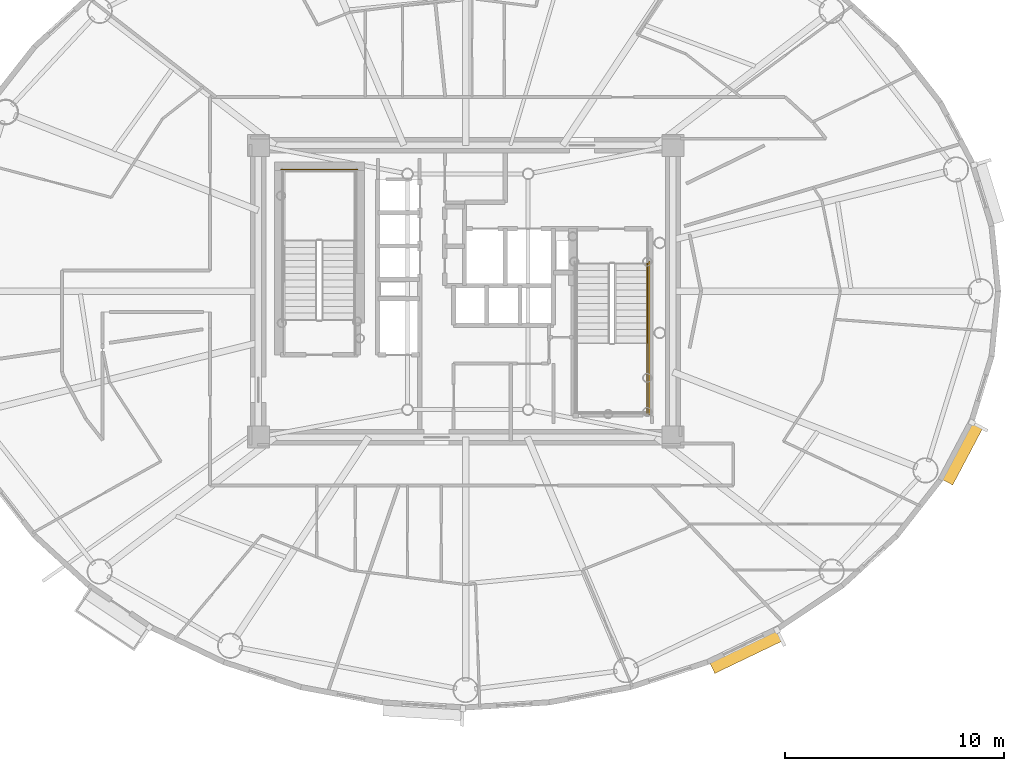
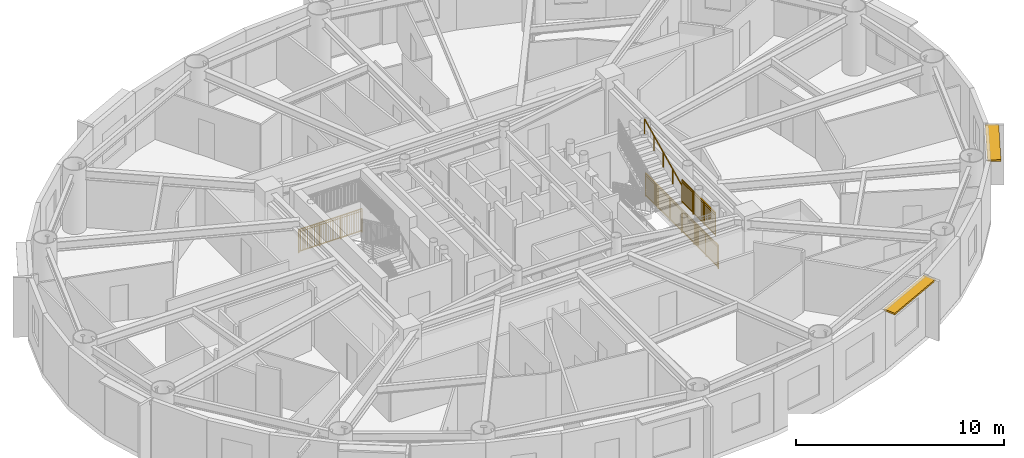
# One storey, part 18 of 19: 4 railings, 2 shading devices.
"""IFC4 building model written with IfcOpenShell, lengths in metres."""

from ifc_helpers import new_model, si_unit, direction, frame, origin, origin_2d, place, context, subcontext, project, spatial, rectangle, extrude, source, transform, mapped, material, layer, layer_set, type_object, element, save


model = new_model("IFC4")

# Units and contexts
model_context = context("Model", 3, precision=1e-05, world=origin(), true_north=direction((0.0, 1.0)))
body_context = subcontext(model_context, "Body", "Model", "MODEL_VIEW")
ifc_project = project(units=[si_unit("LENGTHUNIT", "METRE"), si_unit("AREAUNIT", "SQUARE_METRE"), si_unit("VOLUMEUNIT", "CUBIC_METRE"), si_unit("PLANEANGLEUNIT", "RADIAN"), si_unit("MASSUNIT", "GRAM", prefix="KILO")], contexts=[model_context])

# Site, building, storey
site_placement = place(None, origin())
site = spatial("IfcSite", under=ifc_project, at=site_placement, CompositionType="ELEMENT")
building_placement = place(site_placement, origin())
building = spatial("IfcBuilding", under=site, at=building_placement, Name="Linh Dai School and Residence Tower", CompositionType="ELEMENT")
storey_placement = place(building_placement, frame((0.0, 0.0, 236.550048828125)))
storey = spatial("IfcBuildingStorey", under=building, at=storey_placement, Name="L58", CompositionType="ELEMENT", Elevation=236.550048828125)

# Shading devices
ifc_material_1 = material(Name="Terracotta Ceramic Sunshade", Category="masonry")
ifc_layer = layer(ifc_material_1, 0.10009765625)
ifc_layer_set = layer_set([ifc_layer], Name="Terracotta Ceramic Sunshade")
shading_device_type = type_object("IfcShadingDeviceType", Name="SHD-TC-650", PredefinedType="USERDEFINED", material=ifc_layer_set)
shared_shape_1 = source(origin(), body_context, "Body", "SweptSolid", [
    extrude(rectangle(XDim=3.459716796875, YDim=0.64990234375, at=origin_2d()), origin(), (0.0, 0.0, 1.0), 0.10009765625),
])
shading_device_1_placement = place(storey_placement, frame((48.77880859375, 10.615966796875, 3.3798828125), z_axis=(0.0, 0.0, 1.0), x_axis=(-0.901588864931, -0.432593941973, 0.0)))
element("IfcShadingDevice", 1, at=shading_device_1_placement, inside=storey, type_object=shading_device_type, Name="L58 Terracotta Horizontal Sunshade Band 34", ObjectType="SUNSHADE", PredefinedType="USERDEFINED", context=body_context, shape_type="MappedRepresentation", body=[
    mapped(shared_shape_1, transform((0.0, 0.0, 0.0), x_axis=(1.0, 0.0, 0.0), y_axis=(0.0, 1.0, 0.0), z_axis=(0.0, 0.0, 1.0), scale=1.0)),
])
shared_shape_2 = source(origin(), body_context, "Body", "SweptSolid", [
    extrude(rectangle(XDim=2.986083984375, YDim=0.64990234375, at=origin_2d()), origin(), (0.0, 0.0, 1.0), 0.10009765625),
])
shading_device_2_placement = place(storey_placement, frame((58.614990234375, 19.63623046875, 3.3798828125), z_axis=(0.0, 0.0, 1.0), x_axis=(-0.467621224891, -0.883928950783, 0.0)))
element("IfcShadingDevice", 2, at=shading_device_2_placement, inside=storey, type_object=shading_device_type, Name="L58 Terracotta Horizontal Sunshade Band 38", ObjectType="SUNSHADE", PredefinedType="USERDEFINED", context=body_context, shape_type="MappedRepresentation", body=[
    mapped(shared_shape_2, transform((0.0, 0.0, 0.0), x_axis=(1.0, 0.0, 0.0), y_axis=(0.0, 1.0, 0.0), z_axis=(0.0, 0.0, 1.0), scale=1.0)),
])

# Railings
ifc_material_2 = material(Name="Structural Steel S355JR", Category="steel")
railing_type_1 = type_object("IfcRailingType", Name="RL-ST-GUARD-1400", PredefinedType="GUARDRAIL", material=ifc_material_2)
shared_shape_3 = source(origin(), body_context, "Body", "SweptSolid", [
    extrude(rectangle(XDim=0.048095703125, YDim=0.048095703125, at=origin_2d()), frame((0.0, 0.0, 1.3759765625), z_axis=(-1.0, 0.0, 0.0), x_axis=(0.0, -1.0, 0.0)), (0.0, 0.0, 1.0), 3.5),
    extrude(rectangle(XDim=0.048095703125, YDim=0.048095703125, at=origin_2d()), frame((0.0, 0.0, 0.10009765625), z_axis=(-1.0, 0.0, 0.0), x_axis=(0.0, -1.0, 0.0)), (0.0, 0.0, 1.0), 3.5),
    extrude(rectangle(XDim=0.030029296875, YDim=0.030029296875, at=origin_2d()), frame((0.0, 0.0, 1.239990234375), z_axis=(-1.0, 0.0, 0.0), x_axis=(0.0, -1.0, 0.0)), (0.0, 0.0, 1.0), 3.5),
    extrude(rectangle(XDim=0.02001953125, YDim=0.02001953125, at=origin_2d()), frame((-0.09716796875, 0.0, 0.10009765625)), (0.0, 0.0, 1.0), 1.251708984375),
    extrude(rectangle(XDim=0.02001953125, YDim=0.02001953125, at=origin_2d()), frame((-0.1943359375, 0.0, 0.10009765625)), (0.0, 0.0, 1.0), 1.251708984375),
    extrude(rectangle(XDim=0.02001953125, YDim=0.02001953125, at=origin_2d()), frame((-0.291748046875, 0.0, 0.10009765625)), (0.0, 0.0, 1.0), 1.251708984375),
    extrude(rectangle(XDim=0.02001953125, YDim=0.02001953125, at=origin_2d()), frame((-0.388916015625, 0.0, 0.10009765625)), (0.0, 0.0, 1.0), 1.251708984375),
    extrude(rectangle(XDim=0.02001953125, YDim=0.02001953125, at=origin_2d()), frame((-0.486083984375, 0.0, 0.10009765625)), (0.0, 0.0, 1.0), 1.251708984375),
    extrude(rectangle(XDim=0.02001953125, YDim=0.02001953125, at=origin_2d()), frame((-0.583251953125, 0.0, 0.10009765625)), (0.0, 0.0, 1.0), 1.251708984375),
    extrude(rectangle(XDim=0.02001953125, YDim=0.02001953125, at=origin_2d()), frame((-0.6806640625, 0.0, 0.10009765625)), (0.0, 0.0, 1.0), 1.251708984375),
    extrude(rectangle(XDim=0.02001953125, YDim=0.02001953125, at=origin_2d()), frame((-0.77783203125, 0.0, 0.10009765625)), (0.0, 0.0, 1.0), 1.251708984375),
    extrude(rectangle(XDim=0.02001953125, YDim=0.02001953125, at=origin_2d()), frame((-0.875, 0.0, 0.10009765625)), (0.0, 0.0, 1.0), 1.251708984375),
    extrude(rectangle(XDim=0.02001953125, YDim=0.02001953125, at=origin_2d()), frame((-0.97216796875, 0.0, 0.10009765625)), (0.0, 0.0, 1.0), 1.251708984375),
    extrude(rectangle(XDim=0.02001953125, YDim=0.02001953125, at=origin_2d()), frame((-1.0693359375, 0.0, 0.10009765625)), (0.0, 0.0, 1.0), 1.251708984375),
    extrude(rectangle(XDim=0.02001953125, YDim=0.02001953125, at=origin_2d()), frame((-1.263916015625, 0.0, 0.10009765625)), (0.0, 0.0, 1.0), 1.251708984375),
    extrude(rectangle(XDim=0.02001953125, YDim=0.02001953125, at=origin_2d()), frame((-1.361083984375, 0.0, 0.10009765625)), (0.0, 0.0, 1.0), 1.251708984375),
    extrude(rectangle(XDim=0.02001953125, YDim=0.02001953125, at=origin_2d()), frame((-1.458251953125, 0.0, 0.10009765625)), (0.0, 0.0, 1.0), 1.251708984375),
    extrude(rectangle(XDim=0.02001953125, YDim=0.02001953125, at=origin_2d()), frame((-1.5556640625, 0.0, 0.10009765625)), (0.0, 0.0, 1.0), 1.251708984375),
    extrude(rectangle(XDim=0.02001953125, YDim=0.02001953125, at=origin_2d()), frame((-1.65283203125, 0.0, 0.10009765625)), (0.0, 0.0, 1.0), 1.251708984375),
    extrude(rectangle(XDim=0.02001953125, YDim=0.02001953125, at=origin_2d()), frame((-1.75, 0.0, 0.10009765625)), (0.0, 0.0, 1.0), 1.251708984375),
    extrude(rectangle(XDim=0.02001953125, YDim=0.02001953125, at=origin_2d()), frame((-1.84716796875, 0.0, 0.10009765625)), (0.0, 0.0, 1.0), 1.251708984375),
    extrude(rectangle(XDim=0.02001953125, YDim=0.02001953125, at=origin_2d()), frame((-1.9443359375, 0.0, 0.10009765625)), (0.0, 0.0, 1.0), 1.251708984375),
    extrude(rectangle(XDim=0.02001953125, YDim=0.02001953125, at=origin_2d()), frame((-2.041748046875, 0.0, 0.10009765625)), (0.0, 0.0, 1.0), 1.251708984375),
    extrude(rectangle(XDim=0.02001953125, YDim=0.02001953125, at=origin_2d()), frame((-2.138916015625, 0.0, 0.10009765625)), (0.0, 0.0, 1.0), 1.251708984375),
    extrude(rectangle(XDim=0.02001953125, YDim=0.02001953125, at=origin_2d()), frame((-2.236083984375, 0.0, 0.10009765625)), (0.0, 0.0, 1.0), 1.251708984375),
    extrude(rectangle(XDim=0.02001953125, YDim=0.02001953125, at=origin_2d()), frame((-2.4306640625, 0.0, 0.10009765625)), (0.0, 0.0, 1.0), 1.251708984375),
    extrude(rectangle(XDim=0.02001953125, YDim=0.02001953125, at=origin_2d()), frame((-2.52783203125, 0.0, 0.10009765625)), (0.0, 0.0, 1.0), 1.251708984375),
    extrude(rectangle(XDim=0.02001953125, YDim=0.02001953125, at=origin_2d()), frame((-2.625, 0.0, 0.10009765625)), (0.0, 0.0, 1.0), 1.251708984375),
    extrude(rectangle(XDim=0.02001953125, YDim=0.02001953125, at=origin_2d()), frame((-2.72216796875, 0.0, 0.10009765625)), (0.0, 0.0, 1.0), 1.251708984375),
    extrude(rectangle(XDim=0.02001953125, YDim=0.02001953125, at=origin_2d()), frame((-2.8193359375, 0.0, 0.10009765625)), (0.0, 0.0, 1.0), 1.251708984375),
    extrude(rectangle(XDim=0.02001953125, YDim=0.02001953125, at=origin_2d()), frame((-2.916748046875, 0.0, 0.10009765625)), (0.0, 0.0, 1.0), 1.251708984375),
    extrude(rectangle(XDim=0.02001953125, YDim=0.02001953125, at=origin_2d()), frame((-3.013916015625, 0.0, 0.10009765625)), (0.0, 0.0, 1.0), 1.251708984375),
    extrude(rectangle(XDim=0.02001953125, YDim=0.02001953125, at=origin_2d()), frame((-3.111083984375, 0.0, 0.10009765625)), (0.0, 0.0, 1.0), 1.251708984375),
    extrude(rectangle(XDim=0.02001953125, YDim=0.02001953125, at=origin_2d()), frame((-3.208251953125, 0.0, 0.10009765625)), (0.0, 0.0, 1.0), 1.251708984375),
    extrude(rectangle(XDim=0.02001953125, YDim=0.02001953125, at=origin_2d()), frame((-3.3056640625, 0.0, 0.10009765625)), (0.0, 0.0, 1.0), 1.251708984375),
    extrude(rectangle(XDim=0.02001953125, YDim=0.02001953125, at=origin_2d()), frame((-3.40283203125, 0.0, 0.10009765625)), (0.0, 0.0, 1.0), 1.251708984375),
    extrude(rectangle(XDim=0.0419921875, YDim=0.0419921875, at=origin_2d()), origin(), (0.0, 0.0, 1.0), 1.3759765625),
    extrude(rectangle(XDim=0.0419921875, YDim=0.0419921875, at=origin_2d()), frame((-1.166748046875, 0.0, 0.0)), (0.0, 0.0, 1.0), 1.3759765625),
    extrude(rectangle(XDim=0.0419921875, YDim=0.0419921875, at=origin_2d()), frame((-2.333251953125, 0.0, 0.0)), (0.0, 0.0, 1.0), 1.3759765625),
    extrude(rectangle(XDim=0.0419921875, YDim=0.0419921875, at=origin_2d()), frame((-3.5, 0.0, 0.0)), (0.0, 0.0, 1.0), 1.3759765625),
])
railing_1_placement = place(storey_placement, frame((31.080078125, 32.550048828125, 0.0)))
element("IfcRailing", 3, at=railing_1_placement, inside=storey, type_object=railing_type_1, Name="L58 ST1 stair guard 12", PredefinedType="GUARDRAIL", context=body_context, shape_type="MappedRepresentation", body=[
    mapped(shared_shape_3, transform((0.0, 0.0, 0.0), x_axis=(1.0, 0.0, 0.0), y_axis=(0.0, 1.0, 0.0), z_axis=(0.0, 0.0, 1.0), scale=1.0)),
])
ifc_material_3 = material(Name="Brushed Stainless Steel Handrail", Category="steel")
railing_type_2 = type_object("IfcRailingType", Name="RL-ST-HANDRAIL-900", PredefinedType="HANDRAIL", material=ifc_material_3)
shared_shape_4 = source(origin(), body_context, "Body", "SweptSolid", [
    extrude(rectangle(XDim=0.048095703125, YDim=0.048095703125, at=origin_2d()), frame((0.0, 0.0, 0.8759765625), z_axis=(0.0, 0.901262522062, 0.433273431364), x_axis=(-1.0, 0.0, 0.0)), (0.0, 0.0, 1.0), 3.994384765625),
    extrude(rectangle(XDim=0.0419921875, YDim=0.0419921875, at=origin_2d()), origin(), (0.0, 0.0, 1.0), 0.8759765625),
    extrude(rectangle(XDim=0.0419921875, YDim=0.0419921875, at=origin_2d()), frame((0.0, 0.89990234375, 0.4326171875)), (0.0, 0.0, 1.0), 0.8759765625),
    extrude(rectangle(XDim=0.0419921875, YDim=0.0419921875, at=origin_2d()), frame((0.0, 1.800048828125, 0.865234375)), (0.0, 0.0, 1.0), 0.8759765625),
    extrude(rectangle(XDim=0.0419921875, YDim=0.0419921875, at=origin_2d()), frame((0.0, 2.7001953125, 1.298095703125)), (0.0, 0.0, 1.0), 0.8759765625),
    extrude(rectangle(XDim=0.0419921875, YDim=0.0419921875, at=origin_2d()), frame((0.0, 3.60009765625, 1.730712890625)), (0.0, 0.0, 1.0), 0.8759765625),
])
railing_2_placement = place(storey_placement, frame((44.27001953125, 24.64990234375, 2.019287109375)))
element("IfcRailing", 4, at=railing_2_placement, inside=storey, type_object=railing_type_2, Name="L58 ST2 stair handrail 2", PredefinedType="HANDRAIL", context=body_context, shape_type="MappedRepresentation", body=[
    mapped(shared_shape_4, transform((0.0, 0.0, 0.0), x_axis=(1.0, 0.0, 0.0), y_axis=(0.0, 1.0, 0.0), z_axis=(0.0, 0.0, 1.0), scale=1.0)),
])
shared_shape_5 = source(origin(), body_context, "Body", "SweptSolid", [
    extrude(rectangle(XDim=0.048095703125, YDim=0.048095703125, at=origin_2d()), frame((0.0, 0.0, 1.3759765625), z_axis=(0.0, -1.0, 0.0), x_axis=(1.0, 0.0, 0.0)), (0.0, 0.0, 1.0), 7.0),
    extrude(rectangle(XDim=0.048095703125, YDim=0.048095703125, at=origin_2d()), frame((0.0, 0.0, 0.10009765625), z_axis=(0.0, -1.0, 0.0), x_axis=(1.0, 0.0, 0.0)), (0.0, 0.0, 1.0), 7.0),
    extrude(rectangle(XDim=0.030029296875, YDim=0.030029296875, at=origin_2d()), frame((0.0, 0.0, 1.239990234375), z_axis=(0.0, -1.0, 0.0), x_axis=(1.0, 0.0, 0.0)), (0.0, 0.0, 1.0), 7.0),
    extrude(rectangle(XDim=0.02001953125, YDim=0.02001953125, at=origin_2d()), frame((0.0, -0.09716796875, 0.10009765625)), (0.0, 0.0, 1.0), 1.251708984375),
    extrude(rectangle(XDim=0.02001953125, YDim=0.02001953125, at=origin_2d()), frame((0.0, -0.1943359375, 0.10009765625)), (0.0, 0.0, 1.0), 1.251708984375),
    extrude(rectangle(XDim=0.02001953125, YDim=0.02001953125, at=origin_2d()), frame((0.0, -0.291748046875, 0.10009765625)), (0.0, 0.0, 1.0), 1.251708984375),
    extrude(rectangle(XDim=0.02001953125, YDim=0.02001953125, at=origin_2d()), frame((0.0, -0.388916015625, 0.10009765625)), (0.0, 0.0, 1.0), 1.251708984375),
    extrude(rectangle(XDim=0.02001953125, YDim=0.02001953125, at=origin_2d()), frame((0.0, -0.486083984375, 0.10009765625)), (0.0, 0.0, 1.0), 1.251708984375),
    extrude(rectangle(XDim=0.02001953125, YDim=0.02001953125, at=origin_2d()), frame((0.0, -0.583251953125, 0.10009765625)), (0.0, 0.0, 1.0), 1.251708984375),
    extrude(rectangle(XDim=0.02001953125, YDim=0.02001953125, at=origin_2d()), frame((0.0, -0.6806640625, 0.10009765625)), (0.0, 0.0, 1.0), 1.251708984375),
    extrude(rectangle(XDim=0.02001953125, YDim=0.02001953125, at=origin_2d()), frame((0.0, -0.77783203125, 0.10009765625)), (0.0, 0.0, 1.0), 1.251708984375),
    extrude(rectangle(XDim=0.02001953125, YDim=0.02001953125, at=origin_2d()), frame((0.0, -0.875, 0.10009765625)), (0.0, 0.0, 1.0), 1.251708984375),
    extrude(rectangle(XDim=0.02001953125, YDim=0.02001953125, at=origin_2d()), frame((0.0, -0.97216796875, 0.10009765625)), (0.0, 0.0, 1.0), 1.251708984375),
    extrude(rectangle(XDim=0.02001953125, YDim=0.02001953125, at=origin_2d()), frame((0.0, -1.0693359375, 0.10009765625)), (0.0, 0.0, 1.0), 1.251708984375),
    extrude(rectangle(XDim=0.02001953125, YDim=0.02001953125, at=origin_2d()), frame((0.0, -1.263916015625, 0.10009765625)), (0.0, 0.0, 1.0), 1.251708984375),
    extrude(rectangle(XDim=0.02001953125, YDim=0.02001953125, at=origin_2d()), frame((0.0, -1.361083984375, 0.10009765625)), (0.0, 0.0, 1.0), 1.251708984375),
    extrude(rectangle(XDim=0.02001953125, YDim=0.02001953125, at=origin_2d()), frame((0.0, -1.458251953125, 0.10009765625)), (0.0, 0.0, 1.0), 1.251708984375),
    extrude(rectangle(XDim=0.02001953125, YDim=0.02001953125, at=origin_2d()), frame((0.0, -1.5556640625, 0.10009765625)), (0.0, 0.0, 1.0), 1.251708984375),
    extrude(rectangle(XDim=0.02001953125, YDim=0.02001953125, at=origin_2d()), frame((0.0, -1.65283203125, 0.10009765625)), (0.0, 0.0, 1.0), 1.251708984375),
    extrude(rectangle(XDim=0.02001953125, YDim=0.02001953125, at=origin_2d()), frame((0.0, -1.75, 0.10009765625)), (0.0, 0.0, 1.0), 1.251708984375),
    extrude(rectangle(XDim=0.02001953125, YDim=0.02001953125, at=origin_2d()), frame((0.0, -1.84716796875, 0.10009765625)), (0.0, 0.0, 1.0), 1.251708984375),
    extrude(rectangle(XDim=0.02001953125, YDim=0.02001953125, at=origin_2d()), frame((0.0, -1.9443359375, 0.10009765625)), (0.0, 0.0, 1.0), 1.251708984375),
    extrude(rectangle(XDim=0.02001953125, YDim=0.02001953125, at=origin_2d()), frame((0.0, -2.041748046875, 0.10009765625)), (0.0, 0.0, 1.0), 1.251708984375),
    extrude(rectangle(XDim=0.02001953125, YDim=0.02001953125, at=origin_2d()), frame((0.0, -2.138916015625, 0.10009765625)), (0.0, 0.0, 1.0), 1.251708984375),
    extrude(rectangle(XDim=0.02001953125, YDim=0.02001953125, at=origin_2d()), frame((0.0, -2.236083984375, 0.10009765625)), (0.0, 0.0, 1.0), 1.251708984375),
    extrude(rectangle(XDim=0.02001953125, YDim=0.02001953125, at=origin_2d()), frame((0.0, -2.4306640625, 0.10009765625)), (0.0, 0.0, 1.0), 1.251708984375),
    extrude(rectangle(XDim=0.02001953125, YDim=0.02001953125, at=origin_2d()), frame((0.0, -2.52783203125, 0.10009765625)), (0.0, 0.0, 1.0), 1.251708984375),
    extrude(rectangle(XDim=0.02001953125, YDim=0.02001953125, at=origin_2d()), frame((0.0, -2.625, 0.10009765625)), (0.0, 0.0, 1.0), 1.251708984375),
    extrude(rectangle(XDim=0.02001953125, YDim=0.02001953125, at=origin_2d()), frame((0.0, -2.72216796875, 0.10009765625)), (0.0, 0.0, 1.0), 1.251708984375),
    extrude(rectangle(XDim=0.02001953125, YDim=0.02001953125, at=origin_2d()), frame((0.0, -2.8193359375, 0.10009765625)), (0.0, 0.0, 1.0), 1.251708984375),
    extrude(rectangle(XDim=0.02001953125, YDim=0.02001953125, at=origin_2d()), frame((0.0, -2.916748046875, 0.10009765625)), (0.0, 0.0, 1.0), 1.251708984375),
    extrude(rectangle(XDim=0.02001953125, YDim=0.02001953125, at=origin_2d()), frame((0.0, -3.013916015625, 0.10009765625)), (0.0, 0.0, 1.0), 1.251708984375),
    extrude(rectangle(XDim=0.02001953125, YDim=0.02001953125, at=origin_2d()), frame((0.0, -3.111083984375, 0.10009765625)), (0.0, 0.0, 1.0), 1.251708984375),
    extrude(rectangle(XDim=0.02001953125, YDim=0.02001953125, at=origin_2d()), frame((0.0, -3.208251953125, 0.10009765625)), (0.0, 0.0, 1.0), 1.251708984375),
    extrude(rectangle(XDim=0.02001953125, YDim=0.02001953125, at=origin_2d()), frame((0.0, -3.3056640625, 0.10009765625)), (0.0, 0.0, 1.0), 1.251708984375),
    extrude(rectangle(XDim=0.02001953125, YDim=0.02001953125, at=origin_2d()), frame((0.0, -3.40283203125, 0.10009765625)), (0.0, 0.0, 1.0), 1.251708984375),
    extrude(rectangle(XDim=0.02001953125, YDim=0.02001953125, at=origin_2d()), frame((0.0, -3.59716796875, 0.10009765625)), (0.0, 0.0, 1.0), 1.251708984375),
    extrude(rectangle(XDim=0.02001953125, YDim=0.02001953125, at=origin_2d()), frame((0.0, -3.6943359375, 0.10009765625)), (0.0, 0.0, 1.0), 1.251708984375),
    extrude(rectangle(XDim=0.02001953125, YDim=0.02001953125, at=origin_2d()), frame((0.0, -3.791748046875, 0.10009765625)), (0.0, 0.0, 1.0), 1.251708984375),
    extrude(rectangle(XDim=0.02001953125, YDim=0.02001953125, at=origin_2d()), frame((0.0, -3.888916015625, 0.10009765625)), (0.0, 0.0, 1.0), 1.251708984375),
    extrude(rectangle(XDim=0.02001953125, YDim=0.02001953125, at=origin_2d()), frame((0.0, -3.986083984375, 0.10009765625)), (0.0, 0.0, 1.0), 1.251708984375),
    extrude(rectangle(XDim=0.02001953125, YDim=0.02001953125, at=origin_2d()), frame((0.0, -4.083251953125, 0.10009765625)), (0.0, 0.0, 1.0), 1.251708984375),
    extrude(rectangle(XDim=0.02001953125, YDim=0.02001953125, at=origin_2d()), frame((0.0, -4.1806640625, 0.10009765625)), (0.0, 0.0, 1.0), 1.251708984375),
    extrude(rectangle(XDim=0.02001953125, YDim=0.02001953125, at=origin_2d()), frame((0.0, -4.27783203125, 0.10009765625)), (0.0, 0.0, 1.0), 1.251708984375),
    extrude(rectangle(XDim=0.02001953125, YDim=0.02001953125, at=origin_2d()), frame((0.0, -4.375, 0.10009765625)), (0.0, 0.0, 1.0), 1.251708984375),
    extrude(rectangle(XDim=0.02001953125, YDim=0.02001953125, at=origin_2d()), frame((0.0, -4.47216796875, 0.10009765625)), (0.0, 0.0, 1.0), 1.251708984375),
    extrude(rectangle(XDim=0.02001953125, YDim=0.02001953125, at=origin_2d()), frame((0.0, -4.5693359375, 0.10009765625)), (0.0, 0.0, 1.0), 1.251708984375),
    extrude(rectangle(XDim=0.02001953125, YDim=0.02001953125, at=origin_2d()), frame((0.0, -4.763916015625, 0.10009765625)), (0.0, 0.0, 1.0), 1.251708984375),
    extrude(rectangle(XDim=0.02001953125, YDim=0.02001953125, at=origin_2d()), frame((0.0, -4.861083984375, 0.10009765625)), (0.0, 0.0, 1.0), 1.251708984375),
    extrude(rectangle(XDim=0.02001953125, YDim=0.02001953125, at=origin_2d()), frame((0.0, -4.958251953125, 0.10009765625)), (0.0, 0.0, 1.0), 1.251708984375),
    extrude(rectangle(XDim=0.02001953125, YDim=0.02001953125, at=origin_2d()), frame((0.0, -5.0556640625, 0.10009765625)), (0.0, 0.0, 1.0), 1.251708984375),
    extrude(rectangle(XDim=0.02001953125, YDim=0.02001953125, at=origin_2d()), frame((0.0, -5.15283203125, 0.10009765625)), (0.0, 0.0, 1.0), 1.251708984375),
    extrude(rectangle(XDim=0.02001953125, YDim=0.02001953125, at=origin_2d()), frame((0.0, -5.25, 0.10009765625)), (0.0, 0.0, 1.0), 1.251708984375),
    extrude(rectangle(XDim=0.02001953125, YDim=0.02001953125, at=origin_2d()), frame((0.0, -5.34716796875, 0.10009765625)), (0.0, 0.0, 1.0), 1.251708984375),
    extrude(rectangle(XDim=0.02001953125, YDim=0.02001953125, at=origin_2d()), frame((0.0, -5.4443359375, 0.10009765625)), (0.0, 0.0, 1.0), 1.251708984375),
    extrude(rectangle(XDim=0.02001953125, YDim=0.02001953125, at=origin_2d()), frame((0.0, -5.541748046875, 0.10009765625)), (0.0, 0.0, 1.0), 1.251708984375),
    extrude(rectangle(XDim=0.02001953125, YDim=0.02001953125, at=origin_2d()), frame((0.0, -5.638916015625, 0.10009765625)), (0.0, 0.0, 1.0), 1.251708984375),
    extrude(rectangle(XDim=0.02001953125, YDim=0.02001953125, at=origin_2d()), frame((0.0, -5.736083984375, 0.10009765625)), (0.0, 0.0, 1.0), 1.251708984375),
    extrude(rectangle(XDim=0.02001953125, YDim=0.02001953125, at=origin_2d()), frame((0.0, -5.9306640625, 0.10009765625)), (0.0, 0.0, 1.0), 1.251708984375),
    extrude(rectangle(XDim=0.02001953125, YDim=0.02001953125, at=origin_2d()), frame((0.0, -6.02783203125, 0.10009765625)), (0.0, 0.0, 1.0), 1.251708984375),
    extrude(rectangle(XDim=0.02001953125, YDim=0.02001953125, at=origin_2d()), frame((0.0, -6.125, 0.10009765625)), (0.0, 0.0, 1.0), 1.251708984375),
    extrude(rectangle(XDim=0.02001953125, YDim=0.02001953125, at=origin_2d()), frame((0.0, -6.22216796875, 0.10009765625)), (0.0, 0.0, 1.0), 1.251708984375),
    extrude(rectangle(XDim=0.02001953125, YDim=0.02001953125, at=origin_2d()), frame((0.0, -6.3193359375, 0.10009765625)), (0.0, 0.0, 1.0), 1.251708984375),
    extrude(rectangle(XDim=0.02001953125, YDim=0.02001953125, at=origin_2d()), frame((0.0, -6.416748046875, 0.10009765625)), (0.0, 0.0, 1.0), 1.251708984375),
    extrude(rectangle(XDim=0.02001953125, YDim=0.02001953125, at=origin_2d()), frame((0.0, -6.513916015625, 0.10009765625)), (0.0, 0.0, 1.0), 1.251708984375),
    extrude(rectangle(XDim=0.02001953125, YDim=0.02001953125, at=origin_2d()), frame((0.0, -6.611083984375, 0.10009765625)), (0.0, 0.0, 1.0), 1.251708984375),
    extrude(rectangle(XDim=0.02001953125, YDim=0.02001953125, at=origin_2d()), frame((0.0, -6.708251953125, 0.10009765625)), (0.0, 0.0, 1.0), 1.251708984375),
    extrude(rectangle(XDim=0.02001953125, YDim=0.02001953125, at=origin_2d()), frame((0.0, -6.8056640625, 0.10009765625)), (0.0, 0.0, 1.0), 1.251708984375),
    extrude(rectangle(XDim=0.02001953125, YDim=0.02001953125, at=origin_2d()), frame((0.0, -6.90283203125, 0.10009765625)), (0.0, 0.0, 1.0), 1.251708984375),
    extrude(rectangle(XDim=0.0419921875, YDim=0.0419921875, at=origin_2d()), origin(), (0.0, 0.0, 1.0), 1.3759765625),
    extrude(rectangle(XDim=0.0419921875, YDim=0.0419921875, at=origin_2d()), frame((0.0, -1.166748046875, 0.0)), (0.0, 0.0, 1.0), 1.3759765625),
    extrude(rectangle(XDim=0.0419921875, YDim=0.0419921875, at=origin_2d()), frame((0.0, -2.333251953125, 0.0)), (0.0, 0.0, 1.0), 1.3759765625),
    extrude(rectangle(XDim=0.0419921875, YDim=0.0419921875, at=origin_2d()), frame((0.0, -3.5, 0.0)), (0.0, 0.0, 1.0), 1.3759765625),
    extrude(rectangle(XDim=0.0419921875, YDim=0.0419921875, at=origin_2d()), frame((0.0, -4.666748046875, 0.0)), (0.0, 0.0, 1.0), 1.3759765625),
    extrude(rectangle(XDim=0.0419921875, YDim=0.0419921875, at=origin_2d()), frame((0.0, -5.833251953125, 0.0)), (0.0, 0.0, 1.0), 1.3759765625),
    extrude(rectangle(XDim=0.0419921875, YDim=0.0419921875, at=origin_2d()), frame((0.0, -7.0, 0.0)), (0.0, 0.0, 1.0), 1.3759765625),
])
railing_3_placement = place(storey_placement, frame((44.3701171875, 28.35009765625, 0.0)))
element("IfcRailing", 5, at=railing_3_placement, inside=storey, type_object=railing_type_1, Name="L58 ST2 stair guard 11", PredefinedType="GUARDRAIL", context=body_context, shape_type="MappedRepresentation", body=[
    mapped(shared_shape_5, transform((0.0, 0.0, 0.0), x_axis=(1.0, 0.0, 0.0), y_axis=(0.0, 1.0, 0.0), z_axis=(0.0, 0.0, 1.0), scale=1.0)),
])
shared_shape_6 = source(origin(), body_context, "Body", "SweptSolid", [
    extrude(rectangle(XDim=0.048095703125, YDim=0.048095703125, at=origin_2d()), frame((0.0, 0.0, 1.3759765625), z_axis=(0.0, -1.0, 0.0), x_axis=(1.0, 0.0, 0.0)), (0.0, 0.0, 1.0), 3.199951171875),
    extrude(rectangle(XDim=0.048095703125, YDim=0.048095703125, at=origin_2d()), frame((0.0, 0.0, 0.10009765625), z_axis=(0.0, -1.0, 0.0), x_axis=(1.0, 0.0, 0.0)), (0.0, 0.0, 1.0), 3.199951171875),
    extrude(rectangle(XDim=0.030029296875, YDim=0.030029296875, at=origin_2d()), frame((0.0, 0.0, 1.239990234375), z_axis=(0.0, -1.0, 0.0), x_axis=(1.0, 0.0, 0.0)), (0.0, 0.0, 1.0), 3.199951171875),
    extrude(rectangle(XDim=0.02001953125, YDim=0.02001953125, at=origin_2d()), frame((0.0, -0.096923828125, 0.10009765625)), (0.0, 0.0, 1.0), 1.251708984375),
    extrude(rectangle(XDim=0.02001953125, YDim=0.02001953125, at=origin_2d()), frame((0.0, -0.19384765625, 0.10009765625)), (0.0, 0.0, 1.0), 1.251708984375),
    extrude(rectangle(XDim=0.02001953125, YDim=0.02001953125, at=origin_2d()), frame((0.0, -0.291015625, 0.10009765625)), (0.0, 0.0, 1.0), 1.251708984375),
    extrude(rectangle(XDim=0.02001953125, YDim=0.02001953125, at=origin_2d()), frame((0.0, -0.387939453125, 0.10009765625)), (0.0, 0.0, 1.0), 1.251708984375),
    extrude(rectangle(XDim=0.02001953125, YDim=0.02001953125, at=origin_2d()), frame((0.0, -0.48486328125, 0.10009765625)), (0.0, 0.0, 1.0), 1.251708984375),
    extrude(rectangle(XDim=0.02001953125, YDim=0.02001953125, at=origin_2d()), frame((0.0, -0.581787109375, 0.10009765625)), (0.0, 0.0, 1.0), 1.251708984375),
    extrude(rectangle(XDim=0.02001953125, YDim=0.02001953125, at=origin_2d()), frame((0.0, -0.6787109375, 0.10009765625)), (0.0, 0.0, 1.0), 1.251708984375),
    extrude(rectangle(XDim=0.02001953125, YDim=0.02001953125, at=origin_2d()), frame((0.0, -0.775634765625, 0.10009765625)), (0.0, 0.0, 1.0), 1.251708984375),
    extrude(rectangle(XDim=0.02001953125, YDim=0.02001953125, at=origin_2d()), frame((0.0, -0.872802734375, 0.10009765625)), (0.0, 0.0, 1.0), 1.251708984375),
    extrude(rectangle(XDim=0.02001953125, YDim=0.02001953125, at=origin_2d()), frame((0.0, -0.9697265625, 0.10009765625)), (0.0, 0.0, 1.0), 1.251708984375),
    extrude(rectangle(XDim=0.02001953125, YDim=0.02001953125, at=origin_2d()), frame((0.0, -1.16357421875, 0.10009765625)), (0.0, 0.0, 1.0), 1.251708984375),
    extrude(rectangle(XDim=0.02001953125, YDim=0.02001953125, at=origin_2d()), frame((0.0, -1.260498046875, 0.10009765625)), (0.0, 0.0, 1.0), 1.251708984375),
    extrude(rectangle(XDim=0.02001953125, YDim=0.02001953125, at=origin_2d()), frame((0.0, -1.357666015625, 0.10009765625)), (0.0, 0.0, 1.0), 1.251708984375),
    extrude(rectangle(XDim=0.02001953125, YDim=0.02001953125, at=origin_2d()), frame((0.0, -1.45458984375, 0.10009765625)), (0.0, 0.0, 1.0), 1.251708984375),
    extrude(rectangle(XDim=0.02001953125, YDim=0.02001953125, at=origin_2d()), frame((0.0, -1.551513671875, 0.10009765625)), (0.0, 0.0, 1.0), 1.251708984375),
    extrude(rectangle(XDim=0.02001953125, YDim=0.02001953125, at=origin_2d()), frame((0.0, -1.6484375, 0.10009765625)), (0.0, 0.0, 1.0), 1.251708984375),
    extrude(rectangle(XDim=0.02001953125, YDim=0.02001953125, at=origin_2d()), frame((0.0, -1.745361328125, 0.10009765625)), (0.0, 0.0, 1.0), 1.251708984375),
    extrude(rectangle(XDim=0.02001953125, YDim=0.02001953125, at=origin_2d()), frame((0.0, -1.84228515625, 0.10009765625)), (0.0, 0.0, 1.0), 1.251708984375),
    extrude(rectangle(XDim=0.02001953125, YDim=0.02001953125, at=origin_2d()), frame((0.0, -1.939453125, 0.10009765625)), (0.0, 0.0, 1.0), 1.251708984375),
    extrude(rectangle(XDim=0.02001953125, YDim=0.02001953125, at=origin_2d()), frame((0.0, -2.036376953125, 0.10009765625)), (0.0, 0.0, 1.0), 1.251708984375),
    extrude(rectangle(XDim=0.02001953125, YDim=0.02001953125, at=origin_2d()), frame((0.0, -2.230224609375, 0.10009765625)), (0.0, 0.0, 1.0), 1.251708984375),
    extrude(rectangle(XDim=0.02001953125, YDim=0.02001953125, at=origin_2d()), frame((0.0, -2.3271484375, 0.10009765625)), (0.0, 0.0, 1.0), 1.251708984375),
    extrude(rectangle(XDim=0.02001953125, YDim=0.02001953125, at=origin_2d()), frame((0.0, -2.42431640625, 0.10009765625)), (0.0, 0.0, 1.0), 1.251708984375),
    extrude(rectangle(XDim=0.02001953125, YDim=0.02001953125, at=origin_2d()), frame((0.0, -2.521240234375, 0.10009765625)), (0.0, 0.0, 1.0), 1.251708984375),
    extrude(rectangle(XDim=0.02001953125, YDim=0.02001953125, at=origin_2d()), frame((0.0, -2.6181640625, 0.10009765625)), (0.0, 0.0, 1.0), 1.251708984375),
    extrude(rectangle(XDim=0.02001953125, YDim=0.02001953125, at=origin_2d()), frame((0.0, -2.715087890625, 0.10009765625)), (0.0, 0.0, 1.0), 1.251708984375),
    extrude(rectangle(XDim=0.02001953125, YDim=0.02001953125, at=origin_2d()), frame((0.0, -2.81201171875, 0.10009765625)), (0.0, 0.0, 1.0), 1.251708984375),
    extrude(rectangle(XDim=0.02001953125, YDim=0.02001953125, at=origin_2d()), frame((0.0, -2.908935546875, 0.10009765625)), (0.0, 0.0, 1.0), 1.251708984375),
    extrude(rectangle(XDim=0.02001953125, YDim=0.02001953125, at=origin_2d()), frame((0.0, -3.006103515625, 0.10009765625)), (0.0, 0.0, 1.0), 1.251708984375),
    extrude(rectangle(XDim=0.02001953125, YDim=0.02001953125, at=origin_2d()), frame((0.0, -3.10302734375, 0.10009765625)), (0.0, 0.0, 1.0), 1.251708984375),
    extrude(rectangle(XDim=0.0419921875, YDim=0.0419921875, at=origin_2d()), origin(), (0.0, 0.0, 1.0), 1.3759765625),
    extrude(rectangle(XDim=0.0419921875, YDim=0.0419921875, at=origin_2d()), frame((0.0, -1.066650390625, 0.0)), (0.0, 0.0, 1.0), 1.3759765625),
    extrude(rectangle(XDim=0.0419921875, YDim=0.0419921875, at=origin_2d()), frame((0.0, -2.13330078125, 0.0)), (0.0, 0.0, 1.0), 1.3759765625),
    extrude(rectangle(XDim=0.0419921875, YDim=0.0419921875, at=origin_2d()), frame((0.0, -3.199951171875, 0.0)), (0.0, 0.0, 1.0), 1.3759765625),
])
railing_4_placement = place(storey_placement, frame((44.27001953125, 24.64990234375, 1.875)))
element("IfcRailing", 6, at=railing_4_placement, inside=storey, type_object=railing_type_1, Name="L58 ST2 stair guard 4", PredefinedType="GUARDRAIL", context=body_context, shape_type="MappedRepresentation", body=[
    mapped(shared_shape_6, transform((0.0, 0.0, 0.0), x_axis=(1.0, 0.0, 0.0), y_axis=(0.0, 1.0, 0.0), z_axis=(0.0, 0.0, 1.0), scale=1.0)),
])

save(model, "model.ifc")
